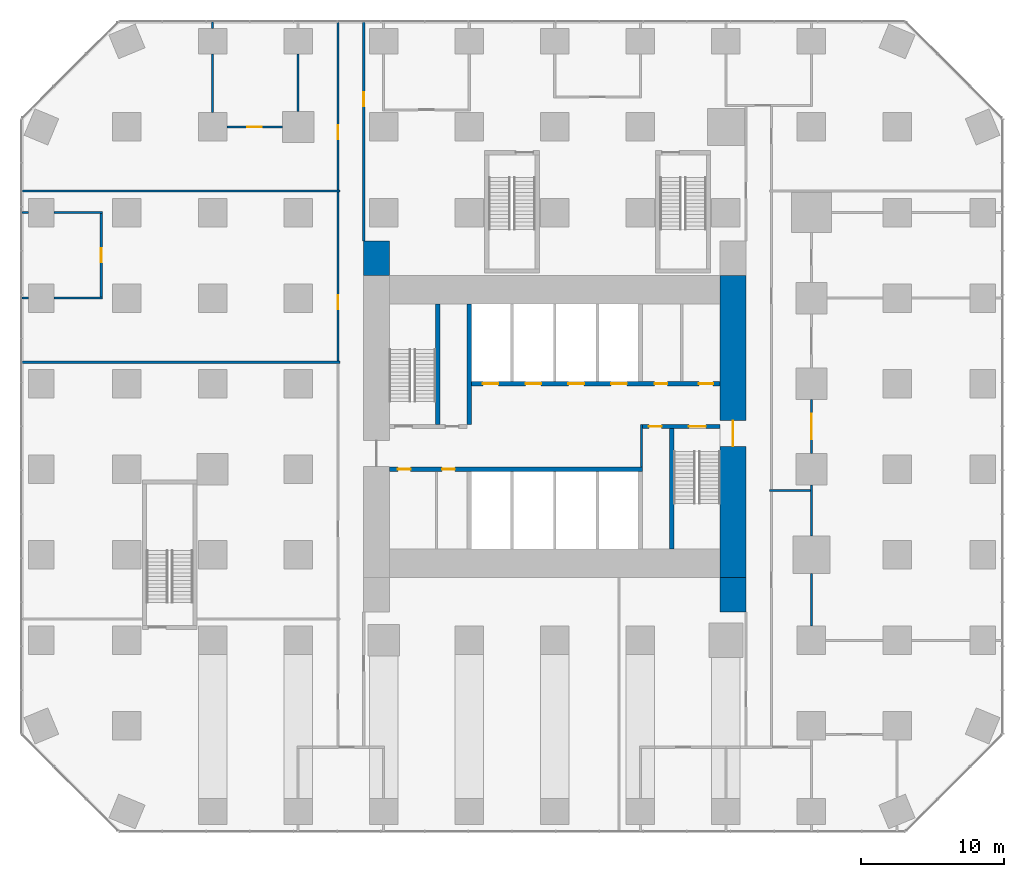
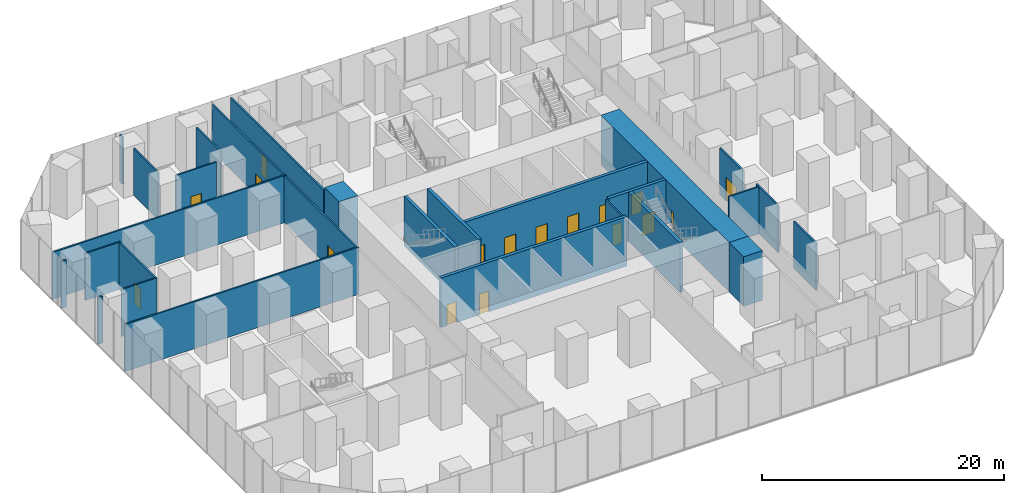
# One storey, part 12 of 15: 28 walls, 17 doors, 17 openings.
"""IFC4 building model written with IfcOpenShell, lengths in metres."""

import ifcopenshell
import ifcopenshell.guid

model = None  # the IFC model being written
_history = None  # IfcOwnerHistory: only IFC2X3 demands one
_inside = {}  # id of a spatial element -> (the spatial element, [elements in it])
_under = {}  # id of a project, library or spatial element -> (it, [spatial elements below it])
_declared = {}  # id of a project -> (the project, [libraries it declares])
_typed = {}  # id of a type object -> (the type object, [elements of that type])
_made_of = {}  # id of a material, layer set ... -> (it, [elements and type objects made of it])


def new_model(schema):
    """Start an empty IFC model of exactly this schema.

    Asked for "IFC4X3", IfcOpenShell would pick the latest addendum, in which some entities
    have other attributes; the version numbers below select the first issue.
    IFC2X3 requires an IfcOwnerHistory on every rooted entity: one is made here for all.
    """
    global model, _history
    if schema == "IFC4X3":
        model = ifcopenshell.file(schema_version=(4, 3, 0, 0))
    else:
        model = ifcopenshell.file(schema=schema)
    _inside.clear()
    _under.clear()
    _declared.clear()
    _typed.clear()
    _made_of.clear()
    _history = None
    if model.schema == "IFC2X3":
        org = make("IfcOrganization", Name="unknown")
        user = make(
            "IfcPersonAndOrganization",
            ThePerson=make("IfcPerson", FamilyName="unknown"),
            TheOrganization=org,
        )
        app = make(
            "IfcApplication",
            ApplicationDeveloper=org,
            Version="unknown",
            ApplicationFullName="unknown",
            ApplicationIdentifier="unknown",
        )
        _history = make(
            "IfcOwnerHistory",
            OwningUser=user,
            OwningApplication=app,
            ChangeAction="ADDED",
            CreationDate=0,
        )
    return model


def make(cls, **values):
    """One entity of the class cls with the attributes given. An attribute that is None is left unset."""
    return model.create_entity(
        cls, **{name: value for name, value in values.items() if value is not None}
    )


def rooted(cls, **values):
    """An entity with a GlobalId (a new one), such as an element, a storey or a relation."""
    return make(cls, GlobalId=ifcopenshell.guid.new(), OwnerHistory=_history, **values)


def si_unit(unit_type, name, prefix=None):
    """IfcSIUnit, for example si_unit("LENGTHUNIT", "METRE", prefix="MILLI")."""
    return make("IfcSIUnit", UnitType=unit_type, Prefix=prefix, Name=name)


def assignment(units):
    """IfcUnitAssignment: the units of a project."""
    return None if units is None else make("IfcUnitAssignment", Units=units)


def point(xyz):
    """IfcCartesianPoint."""
    return None if xyz is None else make("IfcCartesianPoint", Coordinates=xyz)


def direction(xyz):
    """IfcDirection."""
    return None if xyz is None else make("IfcDirection", DirectionRatios=xyz)


def frame(location, z_axis=None, x_axis=None):
    """IfcAxis2Placement3D, a coordinate frame: its origin and axes. An axis left out is left unset."""
    return make(
        "IfcAxis2Placement3D",
        Location=point(location),
        Axis=direction(z_axis),
        RefDirection=direction(x_axis),
    )


def frame_2d(location, x_axis=None):
    """IfcAxis2Placement2D, a coordinate frame in the plane: its origin and x axis."""
    return make(
        "IfcAxis2Placement2D", Location=point(location), RefDirection=direction(x_axis)
    )


def origin():
    """The frame at (0, 0, 0) with its axes left unset."""
    return frame((0.0, 0.0, 0.0))


def place(relative_to, where):
    """IfcLocalPlacement: puts the frame where relative to a parent placement (None: the world)."""
    return make(
        "IfcLocalPlacement", PlacementRelTo=relative_to, RelativePlacement=where
    )


def context(
    kind, dimensions, precision=None, world=None, true_north=None, identifier=None
):
    """IfcGeometricRepresentationContext, for example the 3D "Model" context."""
    return make(
        "IfcGeometricRepresentationContext",
        ContextIdentifier=identifier,
        ContextType=kind,
        CoordinateSpaceDimension=dimensions,
        Precision=precision,
        WorldCoordinateSystem=world,
        TrueNorth=true_north,
    )


def subcontext(parent, identifier, kind, view, scale=None):
    """IfcGeometricRepresentationSubContext, for example "Body" below "Model"."""
    return make(
        "IfcGeometricRepresentationSubContext",
        ContextIdentifier=identifier,
        ContextType=kind,
        ParentContext=parent,
        TargetScale=scale,
        TargetView=view,
    )


def project(units=None, contexts=None):
    """IfcProject with its units and contexts."""
    return rooted(
        "IfcProject",
        Name="project",
        RepresentationContexts=contexts,
        UnitsInContext=assignment(units),
    )


def spatial(cls, under=None, at=None, **own):
    """A site, building, storey or space (cls), placed at a placement, below another one or the project."""
    s = rooted(cls, ObjectPlacement=at, **own)
    if under is not None:
        _under.setdefault(under.id(), (under, []))[1].append(s)
    return s


def profile(cls, at=None, kind="AREA", **sizes):
    """A parametric profile (cls). Its sizes go by their IFC names, for example OverallWidth=200.0."""
    return make(cls, ProfileType=kind, Position=at, **sizes)


def rectangle(**sizes):
    """IfcRectangleProfileDef."""
    return profile("IfcRectangleProfileDef", **sizes)


def extrude(swept, where, along, depth):
    """IfcExtrudedAreaSolid: the profile swept, set in the frame where, extruded along a direction by depth."""
    return make(
        "IfcExtrudedAreaSolid",
        SweptArea=swept,
        Position=where,
        ExtrudedDirection=direction(along),
        Depth=depth,
    )


def shape(context_of_items, identifier, shape_type, items):
    """IfcShapeRepresentation: the items that make up one representation, for example the "Body"."""
    return make(
        "IfcShapeRepresentation",
        ContextOfItems=context_of_items,
        RepresentationIdentifier=identifier,
        RepresentationType=shape_type,
        Items=items,
    )


def material(Name=None, Category=None):
    """IfcMaterial."""
    return make("IfcMaterial", Name=Name, Category=Category)


def layer(
    of_material, thickness, ventilated=None, Name=None, Category=None, Priority=None
):
    """IfcMaterialLayer: one layer of a wall or slab, of a material (None: an air gap)."""
    return make(
        "IfcMaterialLayer",
        Material=of_material,
        LayerThickness=thickness,
        IsVentilated=ventilated,
        Name=Name,
        Category=Category,
        Priority=Priority,
    )


def layer_set(layers, Name=None):
    """IfcMaterialLayerSet."""
    return make("IfcMaterialLayerSet", MaterialLayers=layers, LayerSetName=Name)


def made_of(thing, what):
    """Note that an element or type object is made of a material, layer set ...; save() writes the relation."""
    if what is not None:
        _made_of.setdefault(what.id(), (what, []))[1].append(thing)
    return thing


def type_object(cls, material=None, **own):
    """A type object (cls), such as IfcWallType, which elements share."""
    return made_of(rooted(cls, **own), material)


def element(
    cls,
    number,
    at=None,
    inside=None,
    cuts=None,
    type_object=None,
    material=None,
    context=None,
    identifier="Body",
    shape_type=None,
    held_by="IfcProductDefinitionShape",
    body=None,
    shapes=None,
    **own,
):
    """One element of the class cls, such as IfcWall. Its Tag is "e" and its number.

    at: its placement. inside: the storey or other place that contains it. cuts: it is an
    opening in that element (IfcRelVoidsElement). A single representation is given by context,
    identifier, shape_type and body (its items); several are given by shapes. held_by: the class
    of the entity that holds the representations. save() writes the other relations.
    """
    e = rooted(cls, Tag="e%d" % number, ObjectPlacement=at, **own)
    if body is not None:
        shapes = [shape(context, identifier, shape_type, body)]
    if shapes is not None:
        e.Representation = make(held_by, Representations=shapes)
    if inside is not None:
        _inside.setdefault(inside.id(), (inside, []))[1].append(e)
    if cuts is not None:
        rooted(
            "IfcRelVoidsElement", RelatingBuildingElement=cuts, RelatedOpeningElement=e
        )
    if type_object is not None:
        _typed.setdefault(type_object.id(), (type_object, []))[1].append(e)
    return made_of(e, material)


def fill(opening, filler):
    """IfcRelFillsElement: the door or window that sits in an opening."""
    return rooted(
        "IfcRelFillsElement",
        RelatingOpeningElement=opening,
        RelatedBuildingElement=filler,
    )


def aggregate(whole, parts):
    """IfcRelAggregates: a whole, such as a stair, and the parts it consists of."""
    return rooted("IfcRelAggregates", RelatingObject=whole, RelatedObjects=parts)


def save(model, path):
    """Write the relations noted so far, then the file.

    IfcRelAggregates (storeys below a building ...), IfcRelContainedInSpatialStructure (elements
    in a storey), IfcRelDefinesByType, IfcRelAssociatesMaterial and IfcRelDeclares: one each for
    every whole, place, type object, material and project.
    """
    for whole, parts in _under.values():
        aggregate(whole, parts)
    for where, things in _inside.values():
        rooted(
            "IfcRelContainedInSpatialStructure",
            RelatedElements=things,
            RelatingStructure=where,
        )
    for kind, things in _typed.values():
        rooted("IfcRelDefinesByType", RelatedObjects=things, RelatingType=kind)
    for what, things in _made_of.values():
        rooted("IfcRelAssociatesMaterial", RelatedObjects=things, RelatingMaterial=what)
    for by, libraries in _declared.values():
        rooted("IfcRelDeclares", RelatingContext=by, RelatedDefinitions=libraries)
    model.write(path)


model = new_model("IFC4")

# Units and contexts
model_context = context("Model", 3, precision=1e-05, world=origin(), true_north=direction((0.0, 1.0)))
body_context = subcontext(model_context, "Body", "Model", "MODEL_VIEW")
ifc_project = project(units=[si_unit("LENGTHUNIT", "METRE"), si_unit("AREAUNIT", "SQUARE_METRE"), si_unit("VOLUMEUNIT", "CUBIC_METRE"), si_unit("PLANEANGLEUNIT", "RADIAN"), si_unit("MASSUNIT", "GRAM", prefix="KILO")], contexts=[model_context])

# Site, building, storey
site_placement = place(None, origin())
site = spatial("IfcSite", under=ifc_project, at=site_placement, CompositionType="ELEMENT")
building_placement = place(site_placement, origin())
building = spatial("IfcBuilding", under=site, at=building_placement, Name="Highveld Stack Headquarters", CompositionType="ELEMENT")
storey_placement = place(building_placement, frame((0.0, 0.0, 6.0)))
storey = spatial("IfcBuildingStorey", under=building, at=storey_placement, Name="L01", CompositionType="ELEMENT", Elevation=6.0)

# Wall, opening, door
ifc_material_1 = material(Name="Concrete C60/75", Category="concrete")
ifc_layer_1 = layer(ifc_material_1, 1.800048828125)
ifc_layer_set_1 = layer_set([ifc_layer_1], Name="Concrete C60/75")
wall_type_1 = type_object("IfcWallType", Name="CORE WALL 1800 C60/75", PredefinedType="SHEAR", material=ifc_layer_set_1)
wall_1_placement = place(storey_placement, frame((18.5, -7.60009765625, 0.0), z_axis=(0.0, 0.0, 1.0), x_axis=(0.0, 1.0, 0.0)))
wall_1 = element("IfcWall", 1, at=wall_1_placement, inside=storey, type_object=wall_type_1, Name="Core wall E L01", PredefinedType="SHEAR", context=body_context, shape_type="SweptSolid", body=[
    extrude(rectangle(XDim=21.2001953125, YDim=1.800048828125, at=frame_2d((10.60009765625, 0.0))), origin(), (0.0, 0.0, 1.0), 5.0),
])
opening_1_placement = place(wall_1_placement, frame((9.199951171875, 0.0, 0.0)))
opening_1 = element("IfcOpeningElement", 2, at=opening_1_placement, cuts=wall_1, Name="Opening L01-02", PredefinedType="OPENING", context=body_context, shape_type="SweptSolid", body=[
    extrude(rectangle(XDim=1.800048828125, YDim=2.39990234375, at=frame_2d((0.89990234375, 1.199951171875))), frame((0.0, 0.909912109375, 0.0), z_axis=(0.0, -1.0, 0.0), x_axis=(1.0, 0.0, 0.0)), (0.0, 0.0, 1.0), 1.820068359375),
])
ifc_material_2 = material(Name="Steel fire door", Category="steel")
door_type_1 = type_object("IfcDoorType", Name="LOBBY FIRE DOOR D4 1800x2400", OperationType="DOUBLE_DOOR_SINGLE_SWING", PredefinedType="DOOR", material=ifc_material_2)
door_1_placement = place(opening_1_placement, origin())
door_1 = element("IfcDoor", 3, at=door_1_placement, inside=storey, type_object=door_type_1, Name="Core east door L01", OperationType="DOUBLE_DOOR_SINGLE_SWING", OverallHeight=2.39990234375, OverallWidth=1.800048828125, PredefinedType="DOOR", context=body_context, shape_type="SweptSolid", body=[
    extrude(rectangle(XDim=1.800048828125, YDim=2.39990234375, at=frame_2d((0.89990234375, 1.199951171875))), frame((0.0, 0.02490234375, 0.0), z_axis=(0.0, -1.0, 0.0), x_axis=(1.0, 0.0, 0.0)), (0.0, 0.0, 1.0), 0.050048828125),
])
fill(opening_1, door_1)

# Wall, openings, doors
ifc_material_3 = material(Name="Concrete C60/75", Category="concrete")
ifc_layer_2 = layer(ifc_material_3, 0.300048828125)
ifc_layer_set_2 = layer_set([ifc_layer_2], Name="Concrete C60/75")
wall_type_2 = type_object("IfcWallType", Name="CORE WALL 300 C60/75", PredefinedType="SHEAR", material=ifc_layer_set_2)
wall_2_placement = place(storey_placement, frame((-5.60009765625, 0.0, 0.0), z_axis=(0.0, 0.0, 1.0), x_axis=(1.0, 0.0, 0.0)))
wall_2 = element("IfcWall", 4, at=wall_2_placement, inside=storey, type_object=wall_type_2, Name="Core wall I-Y0 L01", PredefinedType="SHEAR", context=body_context, shape_type="SweptSolid", body=[
    extrude(rectangle(XDim=17.75, YDim=0.300048828125, at=frame_2d((8.875, 0.0))), origin(), (0.0, 0.0, 1.0), 5.0),
])
opening_2_placement = place(wall_2_placement, frame((0.60009765625, 0.0, 0.0)))
opening_2 = element("IfcOpeningElement", 5, at=opening_2_placement, cuts=wall_2, Name="Opening L01-07", PredefinedType="OPENING", context=body_context, shape_type="SweptSolid", body=[
    extrude(rectangle(XDim=0.89990234375, YDim=2.10009765625, at=frame_2d((0.449951171875, 1.050048828125))), frame((0.0, 0.159912109375, 0.0), z_axis=(0.0, -1.0, 0.0), x_axis=(1.0, 0.0, 0.0)), (0.0, 0.0, 1.0), 0.320068359375),
])
opening_3_placement = place(wall_2_placement, frame((3.699951171875, 0.0, 0.0)))
opening_3 = element("IfcOpeningElement", 6, at=opening_3_placement, cuts=wall_2, Name="Opening L01-08", PredefinedType="OPENING", context=body_context, shape_type="SweptSolid", body=[
    extrude(rectangle(XDim=0.89990234375, YDim=2.10009765625, at=frame_2d((0.449951171875, 1.050048828125))), frame((0.0, 0.159912109375, 0.0), z_axis=(0.0, -1.0, 0.0), x_axis=(1.0, 0.0, 0.0)), (0.0, 0.0, 1.0), 0.320068359375),
])
ifc_material_4 = material(Name="Timber door, painted", Category="wood")
door_type_2 = type_object("IfcDoorType", Name="WC DOOR D1 900x2100", OperationType="SINGLE_SWING_LEFT", PredefinedType="DOOR", material=ifc_material_4)
door_2_placement = place(opening_2_placement, origin())
door_2 = element("IfcDoor", 7, at=door_2_placement, inside=storey, type_object=door_type_2, Name="Female WC door L01", OperationType="SINGLE_SWING_LEFT", OverallHeight=2.10009765625, OverallWidth=0.89990234375, PredefinedType="DOOR", context=body_context, shape_type="SweptSolid", body=[
    extrude(rectangle(XDim=0.89990234375, YDim=2.10009765625, at=frame_2d((0.449951171875, 1.050048828125))), frame((0.0, 0.02490234375, 0.0), z_axis=(0.0, -1.0, 0.0), x_axis=(1.0, 0.0, 0.0)), (0.0, 0.0, 1.0), 0.050048828125),
])
fill(opening_2, door_2)
door_3_placement = place(opening_3_placement, origin())
door_3 = element("IfcDoor", 8, at=door_3_placement, inside=storey, type_object=door_type_2, Name="Shower and changing room door L01", OperationType="SINGLE_SWING_LEFT", OverallHeight=2.10009765625, OverallWidth=0.89990234375, PredefinedType="DOOR", context=body_context, shape_type="SweptSolid", body=[
    extrude(rectangle(XDim=0.89990234375, YDim=2.10009765625, at=frame_2d((0.449951171875, 1.050048828125))), frame((0.0, 0.02490234375, 0.0), z_axis=(0.0, -1.0, 0.0), x_axis=(1.0, 0.0, 0.0)), (0.0, 0.0, 1.0), 0.050048828125),
])
fill(opening_3, door_3)

wall_3_placement = place(storey_placement, frame((12.14990234375, 3.0, 0.0), z_axis=(0.0, 0.0, 1.0), x_axis=(1.0, 0.0, 0.0)))
wall_3 = element("IfcWall", 9, at=wall_3_placement, inside=storey, type_object=wall_type_2, Name="Core wall I-Y3E L01", PredefinedType="SHEAR", context=body_context, shape_type="SweptSolid", body=[
    extrude(rectangle(XDim=5.4501953125, YDim=0.300048828125, at=frame_2d((2.72509765625, 0.0))), origin(), (0.0, 0.0, 1.0), 5.0),
])
opening_4_placement = place(wall_3_placement, frame((3.25, 0.0, 0.0)))
opening_4 = element("IfcOpeningElement", 10, at=opening_4_placement, cuts=wall_3, Name="Opening L01-05", PredefinedType="OPENING", context=body_context, shape_type="SweptSolid", body=[
    extrude(rectangle(XDim=1.199951171875, YDim=2.10009765625, at=frame_2d((0.60009765625, 1.050048828125))), frame((0.0, 0.159912109375, 0.0), z_axis=(0.0, -1.0, 0.0), x_axis=(1.0, 0.0, 0.0)), (0.0, 0.0, 1.0), 0.320068359375),
])
opening_5_placement = place(wall_3_placement, frame((0.449951171875, 0.0, 0.0)))
opening_5 = element("IfcOpeningElement", 11, at=opening_5_placement, cuts=wall_3, Name="Opening L01-06", PredefinedType="OPENING", context=body_context, shape_type="SweptSolid", body=[
    extrude(rectangle(XDim=0.89990234375, YDim=2.10009765625, at=frame_2d((0.449951171875, 1.050048828125))), frame((0.0, 0.159912109375, 0.0), z_axis=(0.0, -1.0, 0.0), x_axis=(1.0, 0.0, 0.0)), (0.0, 0.0, 1.0), 0.320068359375),
])
ifc_material_5 = material(Name="Steel fire door", Category="steel")
door_type_3 = type_object("IfcDoorType", Name="RISER ACCESS DOOR D5 900x2100", OperationType="SINGLE_SWING_LEFT", PredefinedType="DOOR", material=ifc_material_5)
door_4_placement = place(opening_5_placement, origin())
door_4 = element("IfcDoor", 12, at=door_4_placement, inside=storey, type_object=door_type_3, Name="Riser R2 door L01", OperationType="SINGLE_SWING_LEFT", OverallHeight=2.10009765625, OverallWidth=0.89990234375, PredefinedType="DOOR", context=body_context, shape_type="SweptSolid", body=[
    extrude(rectangle(XDim=0.89990234375, YDim=2.10009765625, at=frame_2d((0.449951171875, 1.050048828125))), frame((0.0, 0.02490234375, 0.0), z_axis=(0.0, -1.0, 0.0), x_axis=(1.0, 0.0, 0.0)), (0.0, 0.0, 1.0), 0.050048828125),
])
fill(opening_5, door_4)
ifc_material_6 = material(Name="Steel fire door", Category="steel")
door_type_4 = type_object("IfcDoorType", Name="STAIR FIRE DOOR D3 1200x2100", OperationType="SINGLE_SWING_LEFT", PredefinedType="DOOR", material=ifc_material_6)
door_5_placement = place(opening_4_placement, origin())
door_5 = element("IfcDoor", 13, at=door_5_placement, inside=storey, type_object=door_type_4, Name="Stair S2 door L01", OperationType="SINGLE_SWING_RIGHT", OverallHeight=2.10009765625, OverallWidth=1.199951171875, PredefinedType="DOOR", context=body_context, shape_type="SweptSolid", body=[
    extrude(rectangle(XDim=1.199951171875, YDim=2.10009765625, at=frame_2d((0.60009765625, 1.050048828125))), frame((0.0, 0.02490234375, 0.0), z_axis=(0.0, -1.0, 0.0), x_axis=(1.0, 0.0, 0.0)), (0.0, 0.0, 1.0), 0.050048828125),
])
fill(opening_4, door_5)

wall_4_placement = place(storey_placement, frame((-0.14990234375, 6.0, 0.0), z_axis=(0.0, 0.0, 1.0), x_axis=(1.0, 0.0, 0.0)))
wall_4 = element("IfcWall", 14, at=wall_4_placement, inside=storey, type_object=wall_type_2, Name="Core wall I-Y6 L01", PredefinedType="SHEAR", context=body_context, shape_type="SweptSolid", body=[
    extrude(rectangle(XDim=17.75, YDim=0.300048828125, at=frame_2d((8.875, 0.0))), origin(), (0.0, 0.0, 1.0), 5.0),
])
opening_6_placement = place(wall_4_placement, frame((13.14990234375, 0.0, 0.0)))
opening_6 = element("IfcOpeningElement", 15, at=opening_6_placement, cuts=wall_4, Name="Opening L01-09", PredefinedType="OPENING", context=body_context, shape_type="SweptSolid", body=[
    extrude(rectangle(XDim=0.89990234375, YDim=2.10009765625, at=frame_2d((0.449951171875, 1.050048828125))), frame((0.0, 0.159912109375, 0.0), z_axis=(0.0, -1.0, 0.0), x_axis=(1.0, 0.0, 0.0)), (0.0, 0.0, 1.0), 0.320068359375),
])
opening_7_placement = place(wall_4_placement, frame((16.25, 0.0, 0.0)))
opening_7 = element("IfcOpeningElement", 16, at=opening_7_placement, cuts=wall_4, Name="Opening L01-10", PredefinedType="OPENING", context=body_context, shape_type="SweptSolid", body=[
    extrude(rectangle(XDim=1.0, YDim=2.10009765625, at=frame_2d((0.5, 1.050048828125))), frame((0.0, 0.159912109375, 0.0), z_axis=(0.0, -1.0, 0.0), x_axis=(1.0, 0.0, 0.0)), (0.0, 0.0, 1.0), 0.320068359375),
])
opening_8_placement = place(wall_4_placement, frame((1.10009765625, 0.0, 0.0)))
opening_8 = element("IfcOpeningElement", 17, at=opening_8_placement, cuts=wall_4, Name="Opening LD", PredefinedType="OPENING", context=body_context, shape_type="SweptSolid", body=[
    extrude(rectangle(XDim=1.10009765625, YDim=2.10009765625, at=frame_2d((0.550048828125, 1.050048828125))), frame((0.0, 0.159912109375, 0.0), z_axis=(0.0, -1.0, 0.0), x_axis=(1.0, 0.0, 0.0)), (0.0, 0.0, 1.0), 0.320068359375),
])
opening_9_placement = place(wall_4_placement, frame((4.10009765625, 0.0, 0.0)))
opening_9 = element("IfcOpeningElement", 18, at=opening_9_placement, cuts=wall_4, Name="Opening LD", PredefinedType="OPENING", context=body_context, shape_type="SweptSolid", body=[
    extrude(rectangle(XDim=1.10009765625, YDim=2.10009765625, at=frame_2d((0.550048828125, 1.050048828125))), frame((0.0, 0.159912109375, 0.0), z_axis=(0.0, -1.0, 0.0), x_axis=(1.0, 0.0, 0.0)), (0.0, 0.0, 1.0), 0.320068359375),
])
opening_10_placement = place(wall_4_placement, frame((7.10009765625, 0.0, 0.0)))
opening_10 = element("IfcOpeningElement", 19, at=opening_10_placement, cuts=wall_4, Name="Opening LD", PredefinedType="OPENING", context=body_context, shape_type="SweptSolid", body=[
    extrude(rectangle(XDim=1.10009765625, YDim=2.10009765625, at=frame_2d((0.550048828125, 1.050048828125))), frame((0.0, 0.159912109375, 0.0), z_axis=(0.0, -1.0, 0.0), x_axis=(1.0, 0.0, 0.0)), (0.0, 0.0, 1.0), 0.320068359375),
])
opening_11_placement = place(wall_4_placement, frame((10.10009765625, 0.0, 0.0)))
opening_11 = element("IfcOpeningElement", 20, at=opening_11_placement, cuts=wall_4, Name="Opening LD", PredefinedType="OPENING", context=body_context, shape_type="SweptSolid", body=[
    extrude(rectangle(XDim=1.10009765625, YDim=2.10009765625, at=frame_2d((0.550048828125, 1.050048828125))), frame((0.0, 0.159912109375, 0.0), z_axis=(0.0, -1.0, 0.0), x_axis=(1.0, 0.0, 0.0)), (0.0, 0.0, 1.0), 0.320068359375),
])
ifc_material_7 = material(Name="Timber door, painted", Category="wood")
door_type_5 = type_object("IfcDoorType", Name="ACCESSIBLE WC DOOR D2 1000x2100", OperationType="SINGLE_SWING_RIGHT", PredefinedType="DOOR", material=ifc_material_7)
door_6_placement = place(opening_7_placement, origin())
door_6 = element("IfcDoor", 21, at=door_6_placement, inside=storey, type_object=door_type_5, Name="Accessible WC door L01", OperationType="SINGLE_SWING_RIGHT", OverallHeight=2.10009765625, OverallWidth=1.0, PredefinedType="DOOR", context=body_context, shape_type="SweptSolid", body=[
    extrude(rectangle(XDim=1.0, YDim=2.10009765625, at=frame_2d((0.5, 1.050048828125))), frame((0.0, 0.02490234375, 0.0), z_axis=(0.0, -1.0, 0.0), x_axis=(1.0, 0.0, 0.0)), (0.0, 0.0, 1.0), 0.050048828125),
])
fill(opening_7, door_6)
ifc_material_8 = material(Name="Stainless steel lift landing door", Category="steel")
door_type_6 = type_object("IfcDoorType", Name="LIFT LANDING DOOR LD 1100x2100", OperationType="DOUBLE_DOOR_SLIDING", PredefinedType="USERDEFINED", material=ifc_material_8)
door_7_placement = place(opening_8_placement, origin())
door_7 = element("IfcDoor", 22, at=door_7_placement, inside=storey, type_object=door_type_6, Name="Lift landing door FF1 L01", ObjectType="LIFT LANDING DOOR", OperationType="DOUBLE_DOOR_SLIDING", OverallHeight=2.10009765625, OverallWidth=1.10009765625, PredefinedType="USERDEFINED", context=body_context, shape_type="SweptSolid", body=[
    extrude(rectangle(XDim=1.10009765625, YDim=2.10009765625, at=frame_2d((0.550048828125, 1.050048828125))), frame((0.0, 0.02490234375, 0.0), z_axis=(0.0, -1.0, 0.0), x_axis=(1.0, 0.0, 0.0)), (0.0, 0.0, 1.0), 0.050048828125),
])
fill(opening_8, door_7)
door_8_placement = place(opening_9_placement, origin())
door_8 = element("IfcDoor", 23, at=door_8_placement, inside=storey, type_object=door_type_6, Name="Lift landing door FF2 L01", ObjectType="LIFT LANDING DOOR", OperationType="DOUBLE_DOOR_SLIDING", OverallHeight=2.10009765625, OverallWidth=1.10009765625, PredefinedType="USERDEFINED", context=body_context, shape_type="SweptSolid", body=[
    extrude(rectangle(XDim=1.10009765625, YDim=2.10009765625, at=frame_2d((0.550048828125, 1.050048828125))), frame((0.0, 0.02490234375, 0.0), z_axis=(0.0, -1.0, 0.0), x_axis=(1.0, 0.0, 0.0)), (0.0, 0.0, 1.0), 0.050048828125),
])
fill(opening_9, door_8)
door_9_placement = place(opening_10_placement, origin())
door_9 = element("IfcDoor", 24, at=door_9_placement, inside=storey, type_object=door_type_6, Name="Lift landing door A1 L01", ObjectType="LIFT LANDING DOOR", OperationType="DOUBLE_DOOR_SLIDING", OverallHeight=2.10009765625, OverallWidth=1.10009765625, PredefinedType="USERDEFINED", context=body_context, shape_type="SweptSolid", body=[
    extrude(rectangle(XDim=1.10009765625, YDim=2.10009765625, at=frame_2d((0.550048828125, 1.050048828125))), frame((0.0, 0.02490234375, 0.0), z_axis=(0.0, -1.0, 0.0), x_axis=(1.0, 0.0, 0.0)), (0.0, 0.0, 1.0), 0.050048828125),
])
fill(opening_10, door_9)
door_10_placement = place(opening_11_placement, origin())
door_10 = element("IfcDoor", 25, at=door_10_placement, inside=storey, type_object=door_type_6, Name="Lift landing door A2 L01", ObjectType="LIFT LANDING DOOR", OperationType="DOUBLE_DOOR_SLIDING", OverallHeight=2.10009765625, OverallWidth=1.10009765625, PredefinedType="USERDEFINED", context=body_context, shape_type="SweptSolid", body=[
    extrude(rectangle(XDim=1.10009765625, YDim=2.10009765625, at=frame_2d((0.550048828125, 1.050048828125))), frame((0.0, 0.02490234375, 0.0), z_axis=(0.0, -1.0, 0.0), x_axis=(1.0, 0.0, 0.0)), (0.0, 0.0, 1.0), 0.050048828125),
])
fill(opening_11, door_10)
door_11_placement = place(opening_6_placement, origin())
door_11 = element("IfcDoor", 26, at=door_11_placement, inside=storey, type_object=door_type_2, Name="Male WC door L01", OperationType="SINGLE_SWING_RIGHT", OverallHeight=2.10009765625, OverallWidth=0.89990234375, PredefinedType="DOOR", context=body_context, shape_type="SweptSolid", body=[
    extrude(rectangle(XDim=0.89990234375, YDim=2.10009765625, at=frame_2d((0.449951171875, 1.050048828125))), frame((0.0, 0.02490234375, 0.0), z_axis=(0.0, -1.0, 0.0), x_axis=(1.0, 0.0, 0.0)), (0.0, 0.0, 1.0), 0.050048828125),
])
fill(opening_6, door_11)

# Walls
for number, where, z_axis, x_axis, name in (
    (27, (0.0, 3.14990234375, 0.0), (0.0, 0.0, 1.0), (0.0, 1.0, 0.0), "Core wall I-X0N L01"),
    (28, (-2.199951171875, 3.14990234375, 0.0), (0.0, 0.0, 1.0), (0.0, 1.0, 0.0), "Core wall I-RW L01"),
    (29, (14.199951171875, -5.60009765625, 0.0), (0.0, 0.0, 1.0), (0.0, 1.0, 0.0), "Core wall I-RE L01"),
):
    element("IfcWall", number, at=place(storey_placement, frame(where, z_axis=z_axis, x_axis=x_axis)), inside=storey, type_object=wall_type_2, Name=name, PredefinedType="SHEAR", context=body_context, shape_type="SweptSolid", body=[
        extrude(rectangle(XDim=8.4501953125, YDim=0.300048828125, at=frame_2d((4.22509765625, 0.0))), origin(), (0.0, 0.0, 1.0), 5.0),
    ])
ifc_material_9 = material(Name="Concrete C60/75", Category="concrete")
ifc_layer_3 = layer(ifc_material_9, 1.800048828125)
ifc_layer_set_3 = layer_set([ifc_layer_3], Name="Concrete C60/75")
wall_type_3 = type_object("IfcWallType", Name="CORE WING WALL 1800 C60/75", PredefinedType="SHEAR", material=ifc_layer_set_3)
for number, where, z_axis, x_axis, name in (
    (30, (-6.5, 13.60009765625, 0.0), (0.0, 0.0, 1.0), (0.0, 1.0, 0.0), "Core wing wall WN L01"),
    (31, (18.5, -10.0, 0.0), (0.0, 0.0, 1.0), (0.0, 1.0, 0.0), "Core wing wall ES L01"),
):
    element("IfcWall", number, at=place(storey_placement, frame(where, z_axis=z_axis, x_axis=x_axis)), inside=storey, type_object=wall_type_3, Name=name, PredefinedType="SHEAR", context=body_context, shape_type="SweptSolid", body=[
        extrude(rectangle(XDim=2.39990234375, YDim=1.800048828125, at=frame_2d((1.199951171875, 0.0))), origin(), (0.0, 0.0, 1.0), 5.0),
    ])
ifc_material_10 = material(Name="Concrete blockwork, plastered", Category="masonry")
ifc_layer_4 = layer(ifc_material_10, 0.14990234375)
ifc_layer_set_4 = layer_set([ifc_layer_4], Name="Concrete blockwork, plastered")
wall_type_4 = type_object("IfcWallType", Name="FIRE PARTITION 150 BLOCKWORK", PredefinedType="PARTITIONING", material=ifc_layer_set_4)
wall_5_placement = place(storey_placement, frame((12.074951171875, 0.14990234375, 0.0), z_axis=(0.0, 0.0, 1.0), x_axis=(0.0, 1.0, 0.0)))
element("IfcWall", 32, at=wall_5_placement, inside=storey, type_object=wall_type_4, Name="Riser R2 enclosure L01", PredefinedType="PARTITIONING", context=body_context, shape_type="SweptSolid", body=[
    extrude(rectangle(XDim=3.0, YDim=0.14990234375, at=frame_2d((1.5, 0.0))), origin(), (0.0, 0.0, 1.0), 4.75),
])

# Wall, opening, door
ifc_material_11 = material(Name="Laminated glass in aluminium frame", Category="aluminium")
ifc_layer_5 = layer(ifc_material_11, 0.14990234375)
ifc_layer_set_5 = layer_set([ifc_layer_5], Name="Laminated glass in aluminium frame")
wall_type_5 = type_object("IfcWallType", Name="GLAZED PARTITION 150", PredefinedType="PARTITIONING", material=ifc_layer_set_5)
wall_6_placement = place(storey_placement, frame((-17.0, 24.0, 0.0), z_axis=(0.0, 0.0, 1.0), x_axis=(1.0, 0.0, 0.0)))
wall_6 = element("IfcWall", 33, at=wall_6_placement, inside=storey, type_object=wall_type_5, Name="Glazed partition Meeting room L01", PredefinedType="PARTITIONING", context=body_context, shape_type="SweptSolid", body=[
    extrude(rectangle(XDim=3.89990234375, YDim=0.14990234375, at=frame_2d((1.949951171875, 0.0))), origin(), (0.0, 0.0, 1.0), 4.75),
])
opening_12_placement = place(wall_6_placement, frame((1.449951171875, 0.0, 0.0)))
opening_12 = element("IfcOpeningElement", 34, at=opening_12_placement, cuts=wall_6, Name="Opening L01-22", PredefinedType="OPENING", context=body_context, shape_type="SweptSolid", body=[
    extrude(rectangle(XDim=1.0, YDim=2.10009765625, at=frame_2d((0.5, 1.050048828125))), frame((0.0, 0.0849609375, 0.0), z_axis=(0.0, -1.0, 0.0), x_axis=(1.0, 0.0, 0.0)), (0.0, 0.0, 1.0), 0.169921875),
])
ifc_material_12 = material(Name="Timber door, oiled ash", Category="wood")
door_type_7 = type_object("IfcDoorType", Name="ROOM DOOR D6 1000x2100", OperationType="SINGLE_SWING_LEFT", PredefinedType="DOOR", material=ifc_material_12)
door_12_placement = place(opening_12_placement, origin())
door_12 = element("IfcDoor", 35, at=door_12_placement, inside=storey, type_object=door_type_7, Name="Meeting room door 1 L01", OperationType="SINGLE_SWING_RIGHT", OverallHeight=2.10009765625, OverallWidth=1.0, PredefinedType="DOOR", context=body_context, shape_type="SweptSolid", body=[
    extrude(rectangle(XDim=1.0, YDim=2.10009765625, at=frame_2d((0.5, 1.050048828125))), frame((0.0, 0.02490234375, 0.0), z_axis=(0.0, -1.0, 0.0), x_axis=(1.0, 0.0, 0.0)), (0.0, 0.0, 1.0), 0.050048828125),
])
fill(opening_12, door_12)

# Walls
ifc_material_13 = material(Name="Gypsum plasterboard on steel studs", Category="steel")
ifc_layer_6 = layer(ifc_material_13, 0.14990234375)
ifc_layer_set_6 = layer_set([ifc_layer_6], Name="Gypsum plasterboard on steel studs")
wall_type_6 = type_object("IfcWallType", Name="PARTITION 150 PLASTERBOARD", PredefinedType="PARTITIONING", material=ifc_layer_set_6)
wall_7_placement = place(storey_placement, frame((-31.375, 12.0, 0.0), z_axis=(0.0, 0.0, 1.0), x_axis=(1.0, 0.0, 0.0)))
element("IfcWall", 36, at=wall_7_placement, inside=storey, type_object=wall_type_6, Name="Partition Print room L01", PredefinedType="PARTITIONING", context=body_context, shape_type="SweptSolid", body=[
    extrude(rectangle(XDim=0.47509765625, YDim=0.14990234375, at=frame_2d((0.237548828125, 0.0))), origin(), (0.0, 0.0, 1.0), 4.75),
])
wall_8_placement = place(storey_placement, frame((-29.10009765625, 12.0, 0.0), z_axis=(0.0, 0.0, 1.0), x_axis=(1.0, 0.0, 0.0)))
element("IfcWall", 37, at=wall_8_placement, inside=storey, type_object=wall_type_6, Name="Partition Print room L01", PredefinedType="PARTITIONING", context=body_context, shape_type="SweptSolid", body=[
    extrude(rectangle(XDim=3.375, YDim=0.14990234375, at=frame_2d((1.6875, 0.0))), origin(), (0.0, 0.0, 1.0), 4.75),
])
wall_9_placement = place(storey_placement, frame((-31.375, 18.0, 0.0), z_axis=(0.0, 0.0, 1.0), x_axis=(1.0, 0.0, 0.0)))
element("IfcWall", 38, at=wall_9_placement, inside=storey, type_object=wall_type_6, Name="Partition Print room L01", PredefinedType="PARTITIONING", context=body_context, shape_type="SweptSolid", body=[
    extrude(rectangle(XDim=0.47509765625, YDim=0.14990234375, at=frame_2d((0.237548828125, 0.0))), origin(), (0.0, 0.0, 1.0), 4.75),
])
wall_10_placement = place(storey_placement, frame((-29.10009765625, 18.0, 0.0), z_axis=(0.0, 0.0, 1.0), x_axis=(1.0, 0.0, 0.0)))
element("IfcWall", 39, at=wall_10_placement, inside=storey, type_object=wall_type_6, Name="Partition Print room L01", PredefinedType="PARTITIONING", context=body_context, shape_type="SweptSolid", body=[
    extrude(rectangle(XDim=3.375, YDim=0.14990234375, at=frame_2d((1.6875, 0.0))), origin(), (0.0, 0.0, 1.0), 4.75),
])

# Wall, opening, door
wall_11_placement = place(storey_placement, frame((-25.800048828125, 12.074951171875, 0.0), z_axis=(0.0, 0.0, 1.0), x_axis=(0.0, 1.0, 0.0)))
wall_11 = element("IfcWall", 40, at=wall_11_placement, inside=storey, type_object=wall_type_6, Name="Partition Print room L01", PredefinedType="PARTITIONING", context=body_context, shape_type="SweptSolid", body=[
    extrude(rectangle(XDim=5.85009765625, YDim=0.14990234375, at=frame_2d((2.925048828125, 0.0))), origin(), (0.0, 0.0, 1.0), 4.75),
])
opening_13_placement = place(wall_11_placement, frame((2.425048828125, 0.0, 0.0)))
opening_13 = element("IfcOpeningElement", 41, at=opening_13_placement, cuts=wall_11, Name="Opening L01-21", PredefinedType="OPENING", context=body_context, shape_type="SweptSolid", body=[
    extrude(rectangle(XDim=1.0, YDim=2.10009765625, at=frame_2d((0.5, 1.050048828125))), frame((0.0, 0.0849609375, 0.0), z_axis=(0.0, -1.0, 0.0), x_axis=(1.0, 0.0, 0.0)), (0.0, 0.0, 1.0), 0.169921875),
])
door_13_placement = place(opening_13_placement, origin())
door_13 = element("IfcDoor", 42, at=door_13_placement, inside=storey, type_object=door_type_7, Name="Print room door 1 L01", OperationType="SINGLE_SWING_LEFT", OverallHeight=2.10009765625, OverallWidth=1.0, PredefinedType="DOOR", context=body_context, shape_type="SweptSolid", body=[
    extrude(rectangle(XDim=1.0, YDim=2.10009765625, at=frame_2d((0.5, 1.050048828125))), frame((0.0, 0.02490234375, 0.0), z_axis=(0.0, -1.0, 0.0), x_axis=(1.0, 0.0, 0.0)), (0.0, 0.0, 1.0), 0.050048828125),
])
fill(opening_13, door_13)

# Walls
wall_12_placement = place(storey_placement, frame((-18.0, 25.0, 0.0), z_axis=(0.0, 0.0, 1.0), x_axis=(0.0, 1.0, 0.0)))
element("IfcWall", 43, at=wall_12_placement, inside=storey, type_object=wall_type_6, Name="Partition Meeting room L01", PredefinedType="PARTITIONING", context=body_context, shape_type="SweptSolid", body=[
    extrude(rectangle(XDim=4.10009765625, YDim=0.14990234375, at=frame_2d((2.050048828125, 0.0))), origin(), (0.0, 0.0, 1.0), 4.75),
])
wall_13_placement = place(storey_placement, frame((-18.0, 30.89990234375, 0.0), z_axis=(0.0, 0.0, 1.0), x_axis=(0.0, 1.0, 0.0)))
element("IfcWall", 44, at=wall_13_placement, inside=storey, type_object=wall_type_6, Name="Partition Meeting room L01", PredefinedType="PARTITIONING", context=body_context, shape_type="SweptSolid", body=[
    extrude(rectangle(XDim=0.47509765625, YDim=0.14990234375, at=frame_2d((0.237548828125, 0.0))), origin(), (0.0, 0.0, 1.0), 4.75),
])
wall_14_placement = place(storey_placement, frame((-12.0, 25.10009765625, 0.0), z_axis=(0.0, 0.0, 1.0), x_axis=(0.0, 1.0, 0.0)))
element("IfcWall", 45, at=wall_14_placement, inside=storey, type_object=wall_type_6, Name="Partition Meeting room L01", PredefinedType="PARTITIONING", context=body_context, shape_type="SweptSolid", body=[
    extrude(rectangle(XDim=4.0, YDim=0.14990234375, at=frame_2d((2.0, 0.0))), origin(), (0.0, 0.0, 1.0), 4.75),
])
wall_15_placement = place(storey_placement, frame((24.0, -11.0, 0.0), z_axis=(0.0, 0.0, 1.0), x_axis=(0.0, 1.0, 0.0)))
element("IfcWall", 46, at=wall_15_placement, inside=storey, type_object=wall_type_6, Name="Partition Staff restaurant L01", PredefinedType="PARTITIONING", context=body_context, shape_type="SweptSolid", body=[
    extrude(rectangle(XDim=3.699951171875, YDim=0.14990234375, at=frame_2d((1.85009765625, 0.0))), origin(), (0.0, 0.0, 1.0), 4.75),
])
wall_16_placement = place(storey_placement, frame((24.0, -4.699951171875, 0.0), z_axis=(0.0, 0.0, 1.0), x_axis=(0.0, 1.0, 0.0)))
element("IfcWall", 47, at=wall_16_placement, inside=storey, type_object=wall_type_6, Name="Partition Staff restaurant L01", PredefinedType="PARTITIONING", context=body_context, shape_type="SweptSolid", body=[
    extrude(rectangle(XDim=3.599853515625, YDim=0.14990234375, at=frame_2d((1.7998046875, 0.0))), origin(), (0.0, 0.0, 1.0), 4.75),
])

# Wall, opening, door
wall_17_placement = place(storey_placement, frame((24.0, 1.10009765625, 0.0), z_axis=(0.0, 0.0, 1.0), x_axis=(0.0, 1.0, 0.0)))
wall_17 = element("IfcWall", 48, at=wall_17_placement, inside=storey, type_object=wall_type_6, Name="Partition Staff restaurant L01", PredefinedType="PARTITIONING", context=body_context, shape_type="SweptSolid", body=[
    extrude(rectangle(XDim=3.7998046875, YDim=0.14990234375, at=frame_2d((1.89990234375, 0.0))), origin(), (0.0, 0.0, 1.0), 4.75),
])
opening_14_placement = place(wall_17_placement, frame((1.0, 0.0, 0.0)))
opening_14 = element("IfcOpeningElement", 49, at=opening_14_placement, cuts=wall_17, Name="Opening L01-14", PredefinedType="OPENING", context=body_context, shape_type="SweptSolid", body=[
    extrude(rectangle(XDim=1.800048828125, YDim=2.39990234375, at=frame_2d((0.89990234375, 1.199951171875))), frame((0.0, 0.0849609375, 0.0), z_axis=(0.0, -1.0, 0.0), x_axis=(1.0, 0.0, 0.0)), (0.0, 0.0, 1.0), 0.169921875),
])
ifc_material_14 = material(Name="Timber door, oiled ash", Category="wood")
door_type_8 = type_object("IfcDoorType", Name="DOUBLE DOOR D10 1800x2400", OperationType="DOUBLE_DOOR_SINGLE_SWING", PredefinedType="DOOR", material=ifc_material_14)
door_14_placement = place(opening_14_placement, origin())
door_14 = element("IfcDoor", 50, at=door_14_placement, inside=storey, type_object=door_type_8, Name="Staff restaurant door 1 L01", OperationType="DOUBLE_DOOR_SINGLE_SWING", OverallHeight=2.39990234375, OverallWidth=1.800048828125, PredefinedType="DOOR", context=body_context, shape_type="SweptSolid", body=[
    extrude(rectangle(XDim=1.800048828125, YDim=2.39990234375, at=frame_2d((0.89990234375, 1.199951171875))), frame((0.0, 0.02490234375, 0.0), z_axis=(0.0, -1.0, 0.0), x_axis=(1.0, 0.0, 0.0)), (0.0, 0.0, 1.0), 0.050048828125),
])
fill(opening_14, door_14)

# Walls
for number, where, z_axis, x_axis, name in (
    (51, (-31.375, 7.5, 0.0), (0.0, 0.0, 1.0), (1.0, 0.0, 0.0), "Partition office neighbourhood L01"),
    (52, (-31.375, 19.5, 0.0), (0.0, 0.0, 1.0), (1.0, 0.0, 0.0), "Partition office neighbourhood L01"),
):
    element("IfcWall", number, at=place(storey_placement, frame(where, z_axis=z_axis, x_axis=x_axis)), inside=storey, type_object=wall_type_6, Name=name, PredefinedType="PARTITIONING", context=body_context, shape_type="SweptSolid", body=[
        extrude(rectangle(XDim=22.324951171875, YDim=0.14990234375, at=frame_2d((11.16259765625, 0.0))), origin(), (0.0, 0.0, 1.0), 4.75),
    ])

# Wall, opening, door
wall_18_placement = place(storey_placement, frame((-9.199951171875, 7.574951171875, 0.0), z_axis=(0.0, 0.0, 1.0), x_axis=(0.0, 1.0, 0.0)))
wall_18 = element("IfcWall", 53, at=wall_18_placement, inside=storey, type_object=wall_type_6, Name="Partition office neighbourhood L01", PredefinedType="PARTITIONING", context=body_context, shape_type="SweptSolid", body=[
    extrude(rectangle(XDim=11.85009765625, YDim=0.14990234375, at=frame_2d((5.925048828125, 0.0))), origin(), (0.0, 0.0, 1.0), 4.75),
])
opening_15_placement = place(wall_18_placement, frame((3.625, 0.0, 0.0)))
opening_15 = element("IfcOpeningElement", 54, at=opening_15_placement, cuts=wall_18, Name="Opening L01-31", PredefinedType="OPENING", context=body_context, shape_type="SweptSolid", body=[
    extrude(rectangle(XDim=1.0, YDim=2.10009765625, at=frame_2d((0.5, 1.050048828125))), frame((0.0, 0.0849609375, 0.0), z_axis=(0.0, -1.0, 0.0), x_axis=(1.0, 0.0, 0.0)), (0.0, 0.0, 1.0), 0.169921875),
])
door_15_placement = place(opening_15_placement, origin())
door_15 = element("IfcDoor", 55, at=door_15_placement, inside=storey, type_object=door_type_7, Name="Office neighbourhood door L01", OperationType="SINGLE_SWING_LEFT", OverallHeight=2.10009765625, OverallWidth=1.0, PredefinedType="DOOR", context=body_context, shape_type="SweptSolid", body=[
    extrude(rectangle(XDim=1.0, YDim=2.10009765625, at=frame_2d((0.5, 1.050048828125))), frame((0.0, 0.02490234375, 0.0), z_axis=(0.0, -1.0, 0.0), x_axis=(1.0, 0.0, 0.0)), (0.0, 0.0, 1.0), 0.050048828125),
])
fill(opening_15, door_15)

wall_19_placement = place(storey_placement, frame((-9.199951171875, 19.574951171875, 0.0), z_axis=(0.0, 0.0, 1.0), x_axis=(0.0, 1.0, 0.0)))
wall_19 = element("IfcWall", 56, at=wall_19_placement, inside=storey, type_object=wall_type_6, Name="Partition office neighbourhood L01", PredefinedType="PARTITIONING", context=body_context, shape_type="SweptSolid", body=[
    extrude(rectangle(XDim=11.775146484375, YDim=0.14990234375, at=frame_2d((5.8876953125, 0.0))), origin(), (0.0, 0.0, 1.0), 4.75),
])
opening_16_placement = place(wall_19_placement, frame((3.554931640625, 0.0, 0.0)))
opening_16 = element("IfcOpeningElement", 57, at=opening_16_placement, cuts=wall_19, Name="Opening L01-34", PredefinedType="OPENING", context=body_context, shape_type="SweptSolid", body=[
    extrude(rectangle(XDim=1.0, YDim=2.10009765625, at=frame_2d((0.5, 1.050048828125))), frame((0.0, 0.0849609375, 0.0), z_axis=(0.0, -1.0, 0.0), x_axis=(1.0, 0.0, 0.0)), (0.0, 0.0, 1.0), 0.169921875),
])
door_16_placement = place(opening_16_placement, origin())
door_16 = element("IfcDoor", 58, at=door_16_placement, inside=storey, type_object=door_type_7, Name="Office neighbourhood door L01", OperationType="SINGLE_SWING_LEFT", OverallHeight=2.10009765625, OverallWidth=1.0, PredefinedType="DOOR", context=body_context, shape_type="SweptSolid", body=[
    extrude(rectangle(XDim=1.0, YDim=2.10009765625, at=frame_2d((0.5, 1.050048828125))), frame((0.0, 0.02490234375, 0.0), z_axis=(0.0, -1.0, 0.0), x_axis=(1.0, 0.0, 0.0)), (0.0, 0.0, 1.0), 0.050048828125),
])
fill(opening_16, door_16)

wall_20_placement = place(storey_placement, frame((-7.39990234375, 16.0, 0.0), z_axis=(0.0, 0.0, 1.0), x_axis=(0.0, 1.0, 0.0)))
wall_20 = element("IfcWall", 59, at=wall_20_placement, inside=storey, type_object=wall_type_6, Name="Partition office neighbourhood L01", PredefinedType="PARTITIONING", context=body_context, shape_type="SweptSolid", body=[
    extrude(rectangle(XDim=15.375, YDim=0.14990234375, at=frame_2d((7.6875, 0.0))), origin(), (0.0, 0.0, 1.0), 4.75),
])
opening_17_placement = place(wall_20_placement, frame((9.445068359375, 0.0, 0.0)))
opening_17 = element("IfcOpeningElement", 60, at=opening_17_placement, cuts=wall_20, Name="Opening L01-32", PredefinedType="OPENING", context=body_context, shape_type="SweptSolid", body=[
    extrude(rectangle(XDim=1.0, YDim=2.10009765625, at=frame_2d((0.5, 1.050048828125))), frame((0.0, 0.0849609375, 0.0), z_axis=(0.0, -1.0, 0.0), x_axis=(1.0, 0.0, 0.0)), (0.0, 0.0, 1.0), 0.169921875),
])
door_17_placement = place(opening_17_placement, origin())
door_17 = element("IfcDoor", 61, at=door_17_placement, inside=storey, type_object=door_type_7, Name="Office neighbourhood door L01", OperationType="SINGLE_SWING_RIGHT", OverallHeight=2.10009765625, OverallWidth=1.0, PredefinedType="DOOR", context=body_context, shape_type="SweptSolid", body=[
    extrude(rectangle(XDim=1.0, YDim=2.10009765625, at=frame_2d((0.5, 1.050048828125))), frame((0.0, 0.02490234375, 0.0), z_axis=(0.0, -1.0, 0.0), x_axis=(1.0, 0.0, 0.0)), (0.0, 0.0, 1.0), 0.050048828125),
])
fill(opening_17, door_17)

# Wall
wall_21_placement = place(storey_placement, frame((21.050048828125, -1.5, 0.0), z_axis=(0.0, 0.0, 1.0), x_axis=(1.0, 0.0, 0.0)))
element("IfcWall", 62, at=wall_21_placement, inside=storey, type_object=wall_type_6, Name="Partition office neighbourhood L01", PredefinedType="PARTITIONING", context=body_context, shape_type="SweptSolid", body=[
    extrude(rectangle(XDim=2.875, YDim=0.14990234375, at=frame_2d((1.4375, 0.0))), origin(), (0.0, 0.0, 1.0), 4.75),
])

save(model, "model.ifc")
